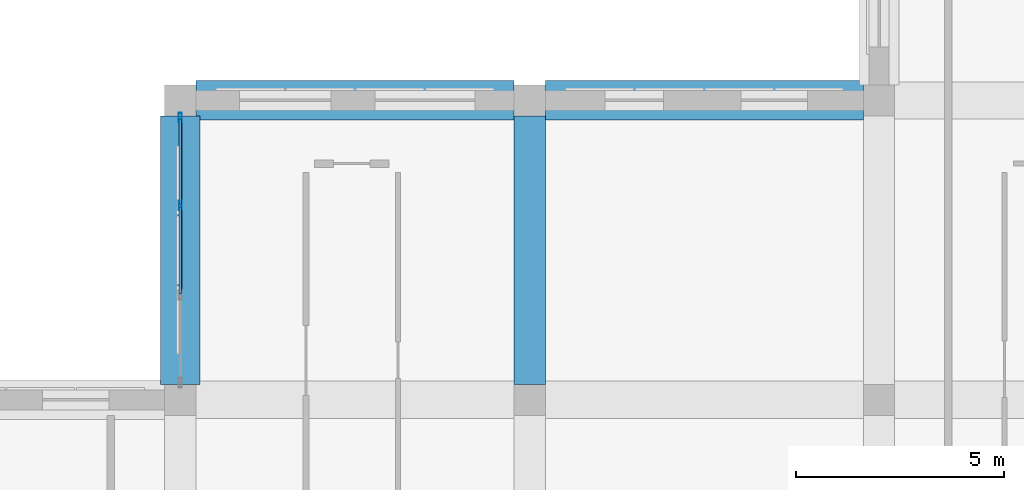
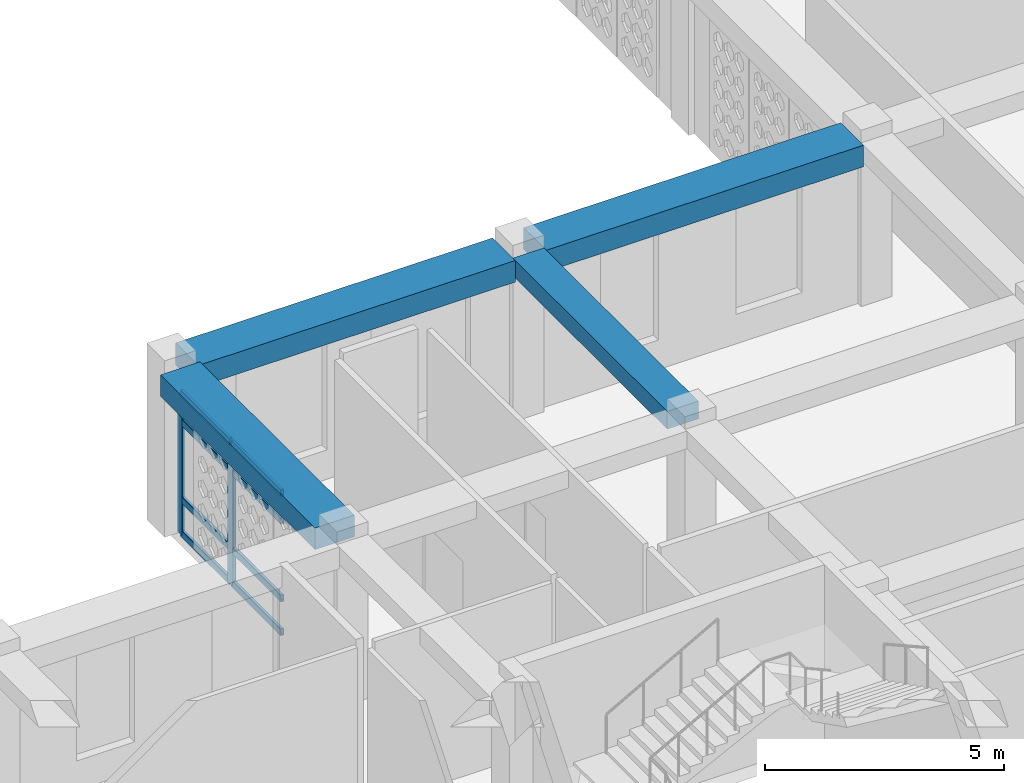
# One storey, part 33 of 111: 10 members, 4 beams, 1 element without a shape of its own.
"""IFC4 building model written with IfcOpenShell, lengths in metres."""

import ifcopenshell
import ifcopenshell.guid

model = None  # the IFC model being written
_history = None  # IfcOwnerHistory: only IFC2X3 demands one
_inside = {}  # id of a spatial element -> (the spatial element, [elements in it])
_under = {}  # id of a project, library or spatial element -> (it, [spatial elements below it])
_declared = {}  # id of a project -> (the project, [libraries it declares])
_typed = {}  # id of a type object -> (the type object, [elements of that type])
_made_of = {}  # id of a material, layer set ... -> (it, [elements and type objects made of it])


def new_model(schema):
    """Start an empty IFC model of exactly this schema.

    Asked for "IFC4X3", IfcOpenShell would pick the latest addendum, in which some entities
    have other attributes; the version numbers below select the first issue.
    IFC2X3 requires an IfcOwnerHistory on every rooted entity: one is made here for all.
    """
    global model, _history
    if schema == "IFC4X3":
        model = ifcopenshell.file(schema_version=(4, 3, 0, 0))
    else:
        model = ifcopenshell.file(schema=schema)
    _inside.clear()
    _under.clear()
    _declared.clear()
    _typed.clear()
    _made_of.clear()
    _history = None
    if model.schema == "IFC2X3":
        org = make("IfcOrganization", Name="unknown")
        user = make(
            "IfcPersonAndOrganization",
            ThePerson=make("IfcPerson", FamilyName="unknown"),
            TheOrganization=org,
        )
        app = make(
            "IfcApplication",
            ApplicationDeveloper=org,
            Version="unknown",
            ApplicationFullName="unknown",
            ApplicationIdentifier="unknown",
        )
        _history = make(
            "IfcOwnerHistory",
            OwningUser=user,
            OwningApplication=app,
            ChangeAction="ADDED",
            CreationDate=0,
        )
    return model


def make(cls, **values):
    """One entity of the class cls with the attributes given. An attribute that is None is left unset."""
    return model.create_entity(
        cls, **{name: value for name, value in values.items() if value is not None}
    )


def rooted(cls, **values):
    """An entity with a GlobalId (a new one), such as an element, a storey or a relation."""
    return make(cls, GlobalId=ifcopenshell.guid.new(), OwnerHistory=_history, **values)


def si_unit(unit_type, name, prefix=None):
    """IfcSIUnit, for example si_unit("LENGTHUNIT", "METRE", prefix="MILLI")."""
    return make("IfcSIUnit", UnitType=unit_type, Prefix=prefix, Name=name)


def derived_unit(unit_type, elements):
    """IfcDerivedUnit: a product of units, each with its exponent."""
    return make(
        "IfcDerivedUnit",
        Elements=[
            make("IfcDerivedUnitElement", Unit=unit, Exponent=power)
            for unit, power in elements
        ],
        UnitType=unit_type,
    )


def assignment(units):
    """IfcUnitAssignment: the units of a project."""
    return None if units is None else make("IfcUnitAssignment", Units=units)


def point(xyz):
    """IfcCartesianPoint."""
    return None if xyz is None else make("IfcCartesianPoint", Coordinates=xyz)


def direction(xyz):
    """IfcDirection."""
    return None if xyz is None else make("IfcDirection", DirectionRatios=xyz)


def frame(location, z_axis=None, x_axis=None):
    """IfcAxis2Placement3D, a coordinate frame: its origin and axes. An axis left out is left unset."""
    return make(
        "IfcAxis2Placement3D",
        Location=point(location),
        Axis=direction(z_axis),
        RefDirection=direction(x_axis),
    )


def frame_2d(location, x_axis=None):
    """IfcAxis2Placement2D, a coordinate frame in the plane: its origin and x axis."""
    return make(
        "IfcAxis2Placement2D", Location=point(location), RefDirection=direction(x_axis)
    )


def origin():
    """The frame at (0, 0, 0) with its axes left unset."""
    return frame((0.0, 0.0, 0.0))


def origin_2d():
    """The frame at (0, 0) in the plane with its x axis left unset."""
    return frame_2d((0.0, 0.0))


def place(relative_to, where):
    """IfcLocalPlacement: puts the frame where relative to a parent placement (None: the world)."""
    return make(
        "IfcLocalPlacement", PlacementRelTo=relative_to, RelativePlacement=where
    )


def context(
    kind, dimensions, precision=None, world=None, true_north=None, identifier=None
):
    """IfcGeometricRepresentationContext, for example the 3D "Model" context."""
    return make(
        "IfcGeometricRepresentationContext",
        ContextIdentifier=identifier,
        ContextType=kind,
        CoordinateSpaceDimension=dimensions,
        Precision=precision,
        WorldCoordinateSystem=world,
        TrueNorth=true_north,
    )


def subcontext(parent, identifier, kind, view, scale=None):
    """IfcGeometricRepresentationSubContext, for example "Body" below "Model"."""
    return make(
        "IfcGeometricRepresentationSubContext",
        ContextIdentifier=identifier,
        ContextType=kind,
        ParentContext=parent,
        TargetScale=scale,
        TargetView=view,
    )


def project(units=None, contexts=None):
    """IfcProject with its units and contexts."""
    return rooted(
        "IfcProject",
        Name="project",
        RepresentationContexts=contexts,
        UnitsInContext=assignment(units),
    )


def spatial(cls, under=None, at=None, **own):
    """A site, building, storey or space (cls), placed at a placement, below another one or the project."""
    s = rooted(cls, ObjectPlacement=at, **own)
    if under is not None:
        _under.setdefault(under.id(), (under, []))[1].append(s)
    return s


def profile(cls, at=None, kind="AREA", **sizes):
    """A parametric profile (cls). Its sizes go by their IFC names, for example OverallWidth=200.0."""
    return make(cls, ProfileType=kind, Position=at, **sizes)


def rectangle(**sizes):
    """IfcRectangleProfileDef."""
    return profile("IfcRectangleProfileDef", **sizes)


def hollow_rectangle(**sizes):
    """IfcRectangleHollowProfileDef."""
    return profile("IfcRectangleHollowProfileDef", **sizes)


def extrude(swept, where, along, depth):
    """IfcExtrudedAreaSolid: the profile swept, set in the frame where, extruded along a direction by depth."""
    return make(
        "IfcExtrudedAreaSolid",
        SweptArea=swept,
        Position=where,
        ExtrudedDirection=direction(along),
        Depth=depth,
    )


def shape(context_of_items, identifier, shape_type, items):
    """IfcShapeRepresentation: the items that make up one representation, for example the "Body"."""
    return make(
        "IfcShapeRepresentation",
        ContextOfItems=context_of_items,
        RepresentationIdentifier=identifier,
        RepresentationType=shape_type,
        Items=items,
    )


def material(Name=None, Category=None):
    """IfcMaterial."""
    return make("IfcMaterial", Name=Name, Category=Category)


def material_profile(
    of_material, cross_section, Name=None, Category=None, Priority=None
):
    """IfcMaterialProfile: a cross section and its material."""
    return make(
        "IfcMaterialProfile",
        Name=Name,
        Material=of_material,
        Profile=cross_section,
        Priority=Priority,
        Category=Category,
    )


def profile_set(profiles, Name=None, composite=None):
    """IfcMaterialProfileSet."""
    return make(
        "IfcMaterialProfileSet",
        Name=Name,
        MaterialProfiles=profiles,
        CompositeProfile=composite,
    )


def made_of(thing, what):
    """Note that an element or type object is made of a material, layer set ...; save() writes the relation."""
    if what is not None:
        _made_of.setdefault(what.id(), (what, []))[1].append(thing)
    return thing


def type_object(cls, material=None, **own):
    """A type object (cls), such as IfcWallType, which elements share."""
    return made_of(rooted(cls, **own), material)


def element(
    cls,
    number,
    at=None,
    inside=None,
    cuts=None,
    type_object=None,
    material=None,
    context=None,
    identifier="Body",
    shape_type=None,
    held_by="IfcProductDefinitionShape",
    body=None,
    shapes=None,
    **own,
):
    """One element of the class cls, such as IfcWall. Its Tag is "e" and its number.

    at: its placement. inside: the storey or other place that contains it. cuts: it is an
    opening in that element (IfcRelVoidsElement). A single representation is given by context,
    identifier, shape_type and body (its items); several are given by shapes. held_by: the class
    of the entity that holds the representations. save() writes the other relations.
    """
    e = rooted(cls, Tag="e%d" % number, ObjectPlacement=at, **own)
    if body is not None:
        shapes = [shape(context, identifier, shape_type, body)]
    if shapes is not None:
        e.Representation = make(held_by, Representations=shapes)
    if inside is not None:
        _inside.setdefault(inside.id(), (inside, []))[1].append(e)
    if cuts is not None:
        rooted(
            "IfcRelVoidsElement", RelatingBuildingElement=cuts, RelatedOpeningElement=e
        )
    if type_object is not None:
        _typed.setdefault(type_object.id(), (type_object, []))[1].append(e)
    return made_of(e, material)


def aggregate(whole, parts):
    """IfcRelAggregates: a whole, such as a stair, and the parts it consists of."""
    return rooted("IfcRelAggregates", RelatingObject=whole, RelatedObjects=parts)


def save(model, path):
    """Write the relations noted so far, then the file.

    IfcRelAggregates (storeys below a building ...), IfcRelContainedInSpatialStructure (elements
    in a storey), IfcRelDefinesByType, IfcRelAssociatesMaterial and IfcRelDeclares: one each for
    every whole, place, type object, material and project.
    """
    for whole, parts in _under.values():
        aggregate(whole, parts)
    for where, things in _inside.values():
        rooted(
            "IfcRelContainedInSpatialStructure",
            RelatedElements=things,
            RelatingStructure=where,
        )
    for kind, things in _typed.values():
        rooted("IfcRelDefinesByType", RelatedObjects=things, RelatingType=kind)
    for what, things in _made_of.values():
        rooted("IfcRelAssociatesMaterial", RelatedObjects=things, RelatingMaterial=what)
    for by, libraries in _declared.values():
        rooted("IfcRelDeclares", RelatingContext=by, RelatedDefinitions=libraries)
    model.write(path)


model = new_model("IFC4")

# Units and contexts
model_context = context("Model", 3, precision=1e-05, world=origin(), true_north=direction((0.0, 1.0)))
body_context = subcontext(model_context, "Body", "Model", "MODEL_VIEW")
ifc_project = project(units=[si_unit("LENGTHUNIT", "METRE"), si_unit("AREAUNIT", "SQUARE_METRE"), si_unit("VOLUMEUNIT", "CUBIC_METRE"), si_unit("PLANEANGLEUNIT", "RADIAN"), si_unit("MASSUNIT", "GRAM", prefix="KILO"), derived_unit("THERMALTRANSMITTANCEUNIT", [(si_unit("POWERUNIT", "WATT"), 1), (si_unit("LENGTHUNIT", "METRE"), -2), (si_unit("THERMODYNAMICTEMPERATUREUNIT", "KELVIN"), -1)])], contexts=[model_context])

# Site, building, storey
site_placement = place(None, origin())
site = spatial("IfcSite", under=ifc_project, at=site_placement, CompositionType="ELEMENT")
building_placement = place(site_placement, origin())
building = spatial("IfcBuilding", under=site, at=building_placement, Name="Veybourne Emporium", CompositionType="ELEMENT")
storey_placement = place(building_placement, frame((0.0, 0.0, 9.89990234375)))
storey = spatial("IfcBuildingStorey", under=building, at=storey_placement, Name="L02", CompositionType="ELEMENT", Elevation=9.89990234375)

# Curtain wall, members
ifc_material_1 = material(Name="Patinated Architectural Bronze", Category="bronze")
curtain_wall_type = type_object("IfcCurtainWallType", Name="CWSystem_CWS-10", PredefinedType="NOTDEFINED", material=ifc_material_1)
curtain_wall_placement = place(storey_placement, origin())
curtain_wall = element("IfcCurtainWall", 1, at=curtain_wall_placement, inside=storey, type_object=curtain_wall_type, Name="L02 bronze glazed curtain wall CWS-10 (018)", PredefinedType="NOTDEFINED")
ifc_material_profile_1 = material_profile(ifc_material_1, hollow_rectangle(XDim=0.074951171875, YDim=0.22998046875, WallThickness=0.0048828125, InnerFilletRadius=0.007568359375, OuterFilletRadius=0.012451171875, at=origin_2d()), Name="CWM 75x230x5")
ifc_profile_set_1 = profile_set([ifc_material_profile_1], Name="Patinated Architectural Bronze")
member_type_1 = type_object("IfcMemberType", Name="CWMullion_CW-M2", PredefinedType="MULLION", material=ifc_profile_set_1)
member_1_placement = place(storey_placement, frame((16.800048828125, 83.875, 0.0), z_axis=(0.0, 0.0, 1.0), x_axis=(-1.0, 0.0, 0.0)))
member_1 = element("IfcMember", 2, at=member_1_placement, type_object=member_type_1, Name="CWS-10 mullion 3", PredefinedType="MULLION", context=body_context, shape_type="SweptSolid", body=[
    extrude(hollow_rectangle(XDim=0.074951171875, YDim=0.22998046875, WallThickness=0.0048828125, InnerFilletRadius=0.007568359375, OuterFilletRadius=0.012451171875, at=origin_2d()), origin(), (0.0, 0.0, 1.0), 3.630126953125),
])
member_2_placement = place(storey_placement, frame((16.800048828125, 85.987548828125, 0.0), z_axis=(0.0, 0.0, 1.0), x_axis=(-1.0, 0.0, 0.0)))
member_2 = element("IfcMember", 3, at=member_2_placement, type_object=member_type_1, Name="CWS-10 mullion 4", PredefinedType="MULLION", context=body_context, shape_type="SweptSolid", body=[
    extrude(hollow_rectangle(XDim=0.074951171875, YDim=0.22998046875, WallThickness=0.0048828125, InnerFilletRadius=0.007568359375, OuterFilletRadius=0.012451171875, at=origin_2d()), origin(), (0.0, 0.0, 1.0), 3.630126953125),
])
ifc_material_profile_2 = material_profile(ifc_material_1, hollow_rectangle(XDim=0.074951171875, YDim=0.179931640625, WallThickness=0.0048828125, InnerFilletRadius=0.007568359375, OuterFilletRadius=0.012451171875, at=origin_2d()), Name="CWT 75x180x5")
ifc_profile_set_2 = profile_set([ifc_material_profile_2], Name="Patinated Architectural Bronze")
member_type_2 = type_object("IfcMemberType", Name="CWTransom_CW-T2", PredefinedType="NOTDEFINED", material=ifc_profile_set_2)
member_3_placement = place(storey_placement, frame((16.800048828125, 81.762451171875, 0.03759765625), z_axis=(0.0, 1.0, 0.0), x_axis=(-1.0, 0.0, 0.0)))
member_3 = element("IfcMember", 4, at=member_3_placement, type_object=member_type_2, Name="CWS-10 transom 2.1", ObjectType="TRANSOM", PredefinedType="USERDEFINED", context=body_context, shape_type="SweptSolid", body=[
    extrude(hollow_rectangle(XDim=0.074951171875, YDim=0.179931640625, WallThickness=0.0048828125, InnerFilletRadius=0.007568359375, OuterFilletRadius=0.012451171875, at=origin_2d()), origin(), (0.0, 0.0, 1.0), 2.074951171875),
])
member_4_placement = place(storey_placement, frame((16.800048828125, 81.762451171875, 0.900146484375), z_axis=(0.0, 1.0, 0.0), x_axis=(-1.0, 0.0, 0.0)))
member_4 = element("IfcMember", 5, at=member_4_placement, type_object=member_type_2, Name="CWS-10 transom 2.2", ObjectType="TRANSOM", PredefinedType="USERDEFINED", context=body_context, shape_type="SweptSolid", body=[
    extrude(hollow_rectangle(XDim=0.074951171875, YDim=0.179931640625, WallThickness=0.0048828125, InnerFilletRadius=0.007568359375, OuterFilletRadius=0.012451171875, at=origin_2d()), origin(), (0.0, 0.0, 1.0), 2.074951171875),
])
member_5_placement = place(storey_placement, frame((16.800048828125, 81.762451171875, 2.880126953125), z_axis=(0.0, 1.0, 0.0), x_axis=(-1.0, 0.0, 0.0)))
member_5 = element("IfcMember", 6, at=member_5_placement, type_object=member_type_2, Name="CWS-10 transom 2.3", ObjectType="TRANSOM", PredefinedType="USERDEFINED", context=body_context, shape_type="SweptSolid", body=[
    extrude(hollow_rectangle(XDim=0.074951171875, YDim=0.179931640625, WallThickness=0.0048828125, InnerFilletRadius=0.007568359375, OuterFilletRadius=0.012451171875, at=origin_2d()), origin(), (0.0, 0.0, 1.0), 2.074951171875),
])
member_6_placement = place(storey_placement, frame((16.800048828125, 81.762451171875, 3.592529296875), z_axis=(0.0, 1.0, 0.0), x_axis=(-1.0, 0.0, 0.0)))
member_6 = element("IfcMember", 7, at=member_6_placement, type_object=member_type_2, Name="CWS-10 transom 2.4", ObjectType="TRANSOM", PredefinedType="USERDEFINED", context=body_context, shape_type="SweptSolid", body=[
    extrude(hollow_rectangle(XDim=0.074951171875, YDim=0.179931640625, WallThickness=0.0048828125, InnerFilletRadius=0.007568359375, OuterFilletRadius=0.012451171875, at=origin_2d()), origin(), (0.0, 0.0, 1.0), 2.074951171875),
])
member_7_placement = place(storey_placement, frame((16.800048828125, 83.91259765625, 0.03759765625), z_axis=(0.0, 1.0, 0.0), x_axis=(-1.0, 0.0, 0.0)))
member_7 = element("IfcMember", 8, at=member_7_placement, type_object=member_type_2, Name="CWS-10 transom 3.1", ObjectType="TRANSOM", PredefinedType="USERDEFINED", context=body_context, shape_type="SweptSolid", body=[
    extrude(hollow_rectangle(XDim=0.074951171875, YDim=0.179931640625, WallThickness=0.0048828125, InnerFilletRadius=0.007568359375, OuterFilletRadius=0.012451171875, at=origin_2d()), origin(), (0.0, 0.0, 1.0), 2.037353515625),
])
member_8_placement = place(storey_placement, frame((16.800048828125, 83.91259765625, 0.900146484375), z_axis=(0.0, 1.0, 0.0), x_axis=(-1.0, 0.0, 0.0)))
member_8 = element("IfcMember", 9, at=member_8_placement, type_object=member_type_2, Name="CWS-10 transom 3.2", ObjectType="TRANSOM", PredefinedType="USERDEFINED", context=body_context, shape_type="SweptSolid", body=[
    extrude(hollow_rectangle(XDim=0.074951171875, YDim=0.179931640625, WallThickness=0.0048828125, InnerFilletRadius=0.007568359375, OuterFilletRadius=0.012451171875, at=origin_2d()), origin(), (0.0, 0.0, 1.0), 2.037353515625),
])
member_9_placement = place(storey_placement, frame((16.800048828125, 83.91259765625, 2.880126953125), z_axis=(0.0, 1.0, 0.0), x_axis=(-1.0, 0.0, 0.0)))
member_9 = element("IfcMember", 10, at=member_9_placement, type_object=member_type_2, Name="CWS-10 transom 3.3", ObjectType="TRANSOM", PredefinedType="USERDEFINED", context=body_context, shape_type="SweptSolid", body=[
    extrude(hollow_rectangle(XDim=0.074951171875, YDim=0.179931640625, WallThickness=0.0048828125, InnerFilletRadius=0.007568359375, OuterFilletRadius=0.012451171875, at=origin_2d()), origin(), (0.0, 0.0, 1.0), 2.037353515625),
])
member_10_placement = place(storey_placement, frame((16.800048828125, 83.91259765625, 3.592529296875), z_axis=(0.0, 1.0, 0.0), x_axis=(-1.0, 0.0, 0.0)))
member_10 = element("IfcMember", 11, at=member_10_placement, type_object=member_type_2, Name="CWS-10 transom 3.4", ObjectType="TRANSOM", PredefinedType="USERDEFINED", context=body_context, shape_type="SweptSolid", body=[
    extrude(hollow_rectangle(XDim=0.074951171875, YDim=0.179931640625, WallThickness=0.0048828125, InnerFilletRadius=0.007568359375, OuterFilletRadius=0.012451171875, at=origin_2d()), origin(), (0.0, 0.0, 1.0), 2.037353515625),
])
aggregate(curtain_wall, [member_1, member_2, member_3, member_4, member_5, member_6, member_7, member_8, member_9, member_10])

# Beams
ifc_material_2 = material(Name="Concrete C32/40", Category="concrete")
ifc_material_profile_3 = material_profile(ifc_material_2, rectangle(XDim=0.75, YDim=0.449951171875, at=origin_2d()), Name="RC 750x450")
ifc_profile_set_3 = profile_set([ifc_material_profile_3], Name="Concrete C32/40")
beam_type_1 = type_object("IfcBeamType", Name="RCBeam_BB-04", PredefinedType="BEAM", material=ifc_profile_set_3)
beam_1_placement = place(storey_placement, frame((25.199951171875, 79.574951171875, 3.955078125), z_axis=(0.0, 1.0, 0.0), x_axis=(-1.0, 0.0, 0.0)))
element("IfcBeam", 12, at=beam_1_placement, inside=storey, type_object=beam_type_1, Name="L02 Y-grid beam BB-04 (3,11)", PredefinedType="BEAM", context=body_context, shape_type="SweptSolid", body=[
    extrude(rectangle(XDim=0.75, YDim=0.449951171875, at=origin_2d()), origin(), (0.0, 0.0, 1.0), 6.449951171875),
])
ifc_material_profile_4 = material_profile(ifc_material_2, rectangle(XDim=0.949951171875, YDim=0.550048828125, at=origin_2d()), Name="RC 950x550")
ifc_profile_set_4 = profile_set([ifc_material_profile_4], Name="Concrete C32/40")
beam_type_2 = type_object("IfcBeamType", Name="RCBeam_EB-01", PredefinedType="SPANDREL", material=ifc_profile_set_4)
beam_2_placement = place(storey_placement, frame((17.175048828125, 86.39990234375, 3.905029296875), z_axis=(1.0, 0.0, 0.0), x_axis=(0.0, 1.0, 0.0)))
element("IfcBeam", 13, at=beam_2_placement, inside=storey, type_object=beam_type_2, Name="L02 X-grid beam EB-01 (2,12)", PredefinedType="SPANDREL", context=body_context, shape_type="SweptSolid", body=[
    extrude(rectangle(XDim=0.949951171875, YDim=0.550048828125, at=origin_2d()), origin(), (0.0, 0.0, 1.0), 7.64990234375),
])
beam_3_placement = place(storey_placement, frame((25.574951171875, 86.39990234375, 3.905029296875), z_axis=(1.0, 0.0, 0.0), x_axis=(0.0, 1.0, 0.0)))
element("IfcBeam", 14, at=beam_3_placement, inside=storey, type_object=beam_type_2, Name="L02 X-grid beam EB-01 (3,12)", PredefinedType="SPANDREL", context=body_context, shape_type="SweptSolid", body=[
    extrude(rectangle(XDim=0.949951171875, YDim=0.550048828125, at=origin_2d()), origin(), (0.0, 0.0, 1.0), 7.650146484375),
])
beam_4_placement = place(storey_placement, frame((16.800048828125, 79.574951171875, 3.905029296875), z_axis=(0.0, 1.0, 0.0), x_axis=(-1.0, 0.0, 0.0)))
element("IfcBeam", 15, at=beam_4_placement, inside=storey, type_object=beam_type_2, Name="L02 Y-grid beam EB-01 (2,11)", PredefinedType="SPANDREL", context=body_context, shape_type="SweptSolid", body=[
    extrude(rectangle(XDim=0.949951171875, YDim=0.550048828125, at=origin_2d()), origin(), (0.0, 0.0, 1.0), 6.449951171875),
])

save(model, "model.ifc")
